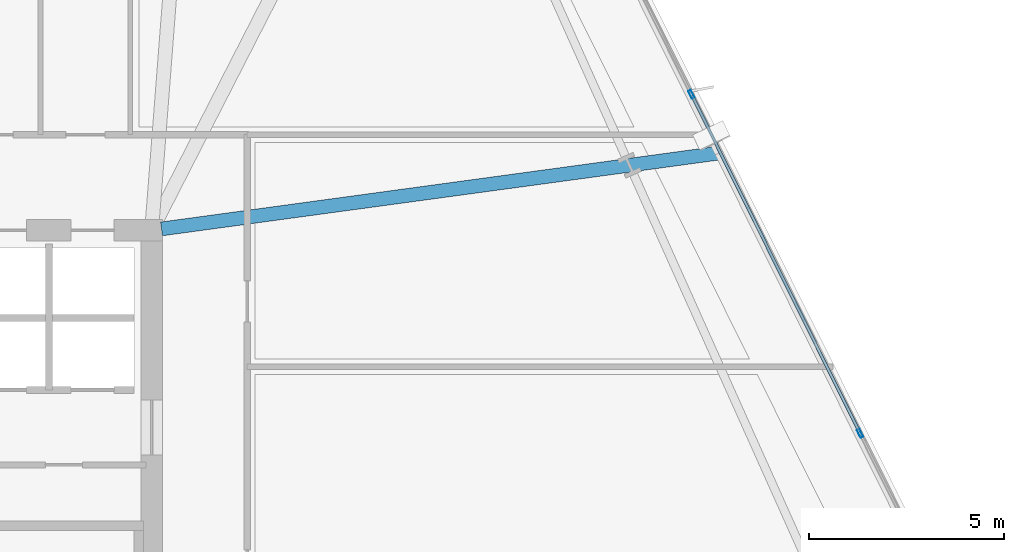
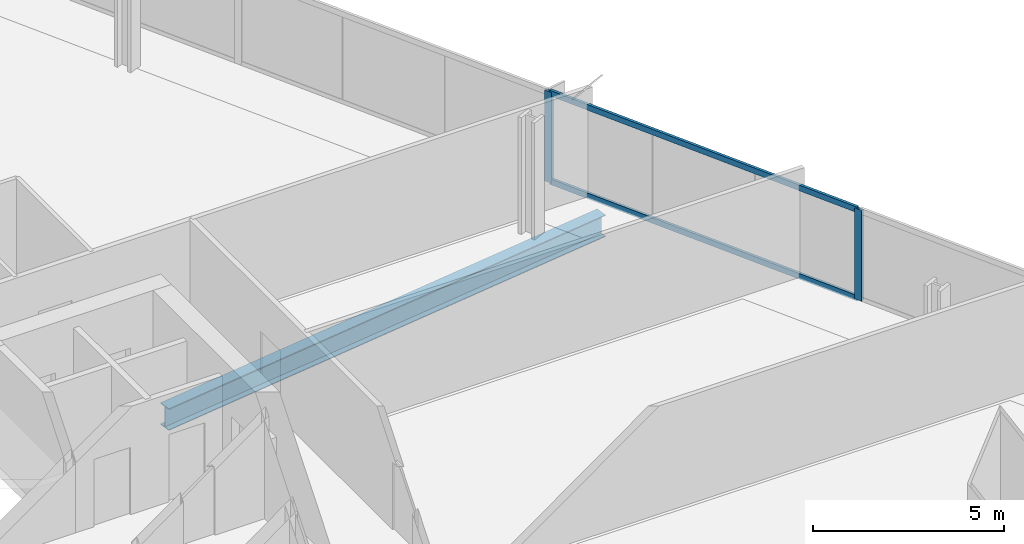
# One storey, part 20 of 35: 4 members, 1 beam, 1 element without a shape of its own.
"""IFC4 building model written with IfcOpenShell, lengths in metres."""

from ifc_helpers import new_model, si_unit, direction, frame, origin, origin_2d, place, context, subcontext, project, spatial, hollow_rectangle, i_section, extrude, material, material_profile, profile_set, type_object, element, aggregate, save


model = new_model("IFC4")

# Units and contexts
model_context = context("Model", 3, precision=1e-05, world=origin(), true_north=direction((0.0, 1.0)))
body_context = subcontext(model_context, "Body", "Model", "MODEL_VIEW")
ifc_project = project(units=[si_unit("LENGTHUNIT", "METRE"), si_unit("AREAUNIT", "SQUARE_METRE"), si_unit("VOLUMEUNIT", "CUBIC_METRE"), si_unit("PLANEANGLEUNIT", "RADIAN"), si_unit("MASSUNIT", "GRAM", prefix="KILO")], contexts=[model_context])

# Site, building, storey
site_placement = place(None, origin())
site = spatial("IfcSite", under=ifc_project, at=site_placement, CompositionType="ELEMENT")
building_placement = place(site_placement, origin())
building = spatial("IfcBuilding", under=site, at=building_placement, Name="Haldenkirk Collegiate Tower", CompositionType="ELEMENT")
storey_placement = place(building_placement, frame((0.0, 0.0, 116.699951171875)))
storey = spatial("IfcBuildingStorey", under=building, at=storey_placement, Name="L28", CompositionType="ELEMENT", Elevation=116.699951171875)

# Beam
ifc_material_1 = material(Name="Steel ASTM A992 Grade 50", Category="steel")
ifc_material_profile_1 = material_profile(ifc_material_1, i_section(OverallWidth=0.35498046875, OverallDepth=0.696044921875, WebThickness=0.015380859375, FlangeThickness=0.02490234375, at=origin_2d()), Name="W27X146")
ifc_profile_set_1 = profile_set([ifc_material_profile_1], Name="Steel ASTM A992 Grade 50")
beam_type = type_object("IfcBeamType", Name="BM-GIRDER-W27X146", PredefinedType="BEAM", material=ifc_profile_set_1)
beam_placement = place(storey_placement, frame((59.550048828125, 35.9794921875, -0.64794921875), z_axis=(-0.990872539482, -0.134802116083, 0.0), x_axis=(0.134802116083, -0.990872539482, 0.0)))
element("IfcBeam", 1, at=beam_placement, inside=storey, type_object=beam_type, Name="L28 primary floor girder 09", PredefinedType="BEAM", context=body_context, shape_type="SweptSolid", body=[
    extrude(i_section(OverallWidth=0.35498046875, OverallDepth=0.696044921875, WebThickness=0.015380859375, FlangeThickness=0.02490234375, at=origin_2d()), origin(), (0.0, 0.0, 1.0), 14.428955078125),
])

# Curtain wall, members
ifc_material_2 = material(Name="Anodised architectural bronze aluminium", Category="aluminium")
curtain_wall_type = type_object("IfcCurtainWallType", Name="CW-SYS1-CONVEX-LOW", PredefinedType="USERDEFINED", material=ifc_material_2)
curtain_wall_placement = place(storey_placement, origin())
curtain_wall = element("IfcCurtainWall", 2, at=curtain_wall_placement, inside=storey, type_object=curtain_wall_type, Name="L28 Lower tower convex bronze-framed unitised curtain wall", ObjectType="UNITISED CURTAIN WALL", PredefinedType="USERDEFINED")
ifc_material_profile_2 = material_profile(ifc_material_2, hollow_rectangle(XDim=0.080078125, YDim=0.219970703125, WallThickness=0.0048828125, at=origin_2d()), Name="CW-MUL-1A")
ifc_profile_set_2 = profile_set([ifc_material_profile_2], Name="Anodised architectural bronze aluminium")
member_type_1 = type_object("IfcMemberType", Name="CW-MUL-1A", PredefinedType="MULLION", material=ifc_profile_set_2)
member_1_placement = place(storey_placement, frame((58.84326171875, 37.489990234375, 0.0), z_axis=(0.0, 0.0, 1.0), x_axis=(0.895323653183, 0.445416160519, 0.0)))
member_1 = element("IfcMember", 3, at=member_1_placement, type_object=member_type_1, Name="CW-1A mullion 3", PredefinedType="MULLION", context=body_context, shape_type="SweptSolid", body=[
    extrude(hollow_rectangle(XDim=0.080078125, YDim=0.219970703125, WallThickness=0.0048828125, at=origin_2d()), origin(), (0.0, 0.0, 1.0), 2.901123046875),
])
member_2_placement = place(storey_placement, frame((63.172119140625, 28.78857421875, 0.0), z_axis=(0.0, 0.0, 1.0), x_axis=(0.895323653183, 0.445416160519, 0.0)))
member_2 = element("IfcMember", 4, at=member_2_placement, type_object=member_type_1, Name="CW-1A mullion 4", PredefinedType="MULLION", context=body_context, shape_type="SweptSolid", body=[
    extrude(hollow_rectangle(XDim=0.080078125, YDim=0.219970703125, WallThickness=0.0048828125, at=origin_2d()), origin(), (0.0, 0.0, 1.0), 2.901123046875),
])
ifc_material_profile_3 = material_profile(ifc_material_2, hollow_rectangle(XDim=0.080078125, YDim=0.179931640625, WallThickness=0.0048828125, at=origin_2d()), Name="CW-TRN-1A")
ifc_profile_set_3 = profile_set([ifc_material_profile_3], Name="Anodised architectural bronze aluminium")
member_type_2 = type_object("IfcMemberType", Name="CW-TRN-1A", PredefinedType="USERDEFINED", material=ifc_profile_set_3)
member_3_placement = place(storey_placement, frame((58.861083984375, 37.4541015625, 0.0400390625), z_axis=(0.445419367549, -0.895322057705, 0.0), x_axis=(0.895322057705, 0.445419367549, 0.0)))
member_3 = element("IfcMember", 5, at=member_3_placement, type_object=member_type_2, Name="CW-1A transom 3.1", ObjectType="TRANSOM", PredefinedType="USERDEFINED", context=body_context, shape_type="SweptSolid", body=[
    extrude(hollow_rectangle(XDim=0.080078125, YDim=0.179931640625, WallThickness=0.0048828125, at=origin_2d()), origin(), (0.0, 0.0, 1.0), 9.638671875),
])
member_4_placement = place(storey_placement, frame((58.861083984375, 37.4541015625, 2.861083984375), z_axis=(0.445419367549, -0.895322057705, 0.0), x_axis=(0.895322057705, 0.445419367549, 0.0)))
member_4 = element("IfcMember", 6, at=member_4_placement, type_object=member_type_2, Name="CW-1A transom 3.2", ObjectType="TRANSOM", PredefinedType="USERDEFINED", context=body_context, shape_type="SweptSolid", body=[
    extrude(hollow_rectangle(XDim=0.080078125, YDim=0.179931640625, WallThickness=0.0048828125, at=origin_2d()), origin(), (0.0, 0.0, 1.0), 9.638671875),
])
aggregate(curtain_wall, [member_1, member_2, member_3, member_4])

save(model, "model.ifc")
